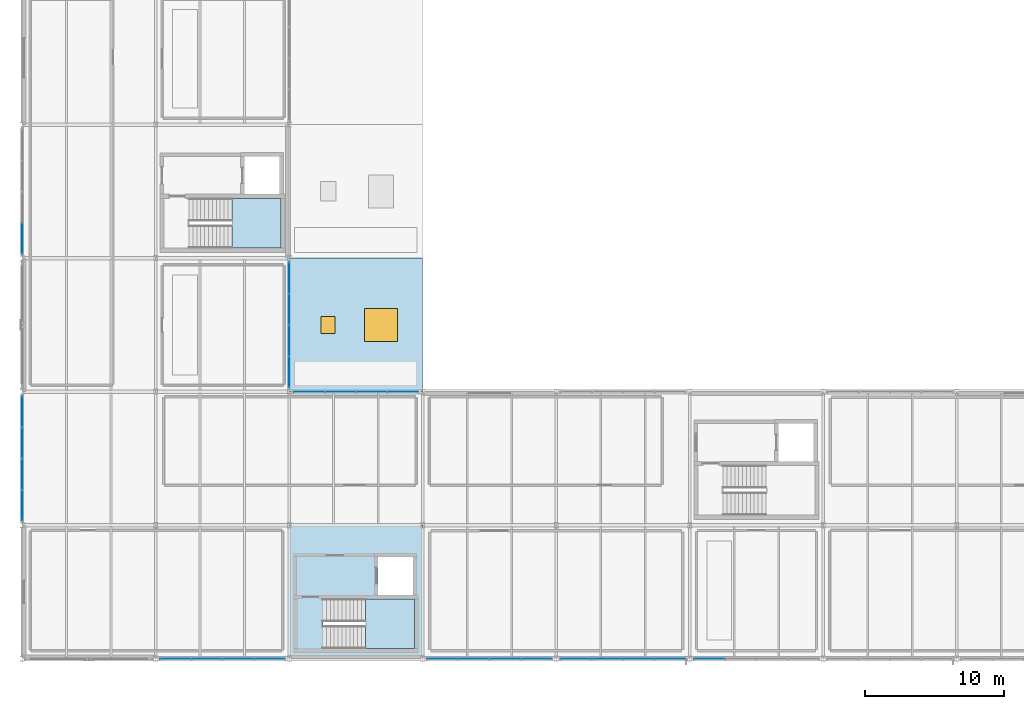
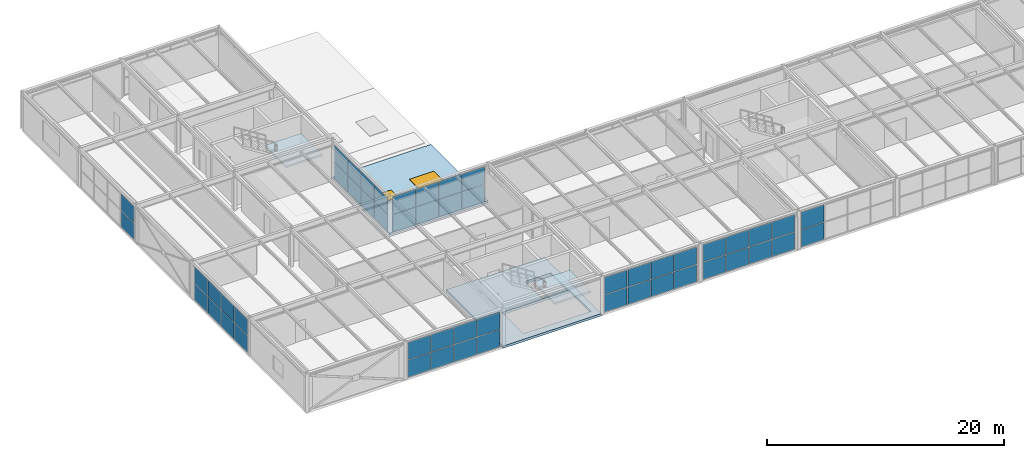
# One storey, part 38 of 50: 52 plates, 4 slabs, 1 door, 1 window, 2 openings, 10 elements without a shape of their own.
"""IFC4 building model written with IfcOpenShell, lengths in metres."""

import ifcopenshell
import ifcopenshell.guid

model = None  # the IFC model being written
_history = None  # IfcOwnerHistory: only IFC2X3 demands one
_inside = {}  # id of a spatial element -> (the spatial element, [elements in it])
_under = {}  # id of a project, library or spatial element -> (it, [spatial elements below it])
_declared = {}  # id of a project -> (the project, [libraries it declares])
_typed = {}  # id of a type object -> (the type object, [elements of that type])
_made_of = {}  # id of a material, layer set ... -> (it, [elements and type objects made of it])


def new_model(schema):
    """Start an empty IFC model of exactly this schema.

    Asked for "IFC4X3", IfcOpenShell would pick the latest addendum, in which some entities
    have other attributes; the version numbers below select the first issue.
    IFC2X3 requires an IfcOwnerHistory on every rooted entity: one is made here for all.
    """
    global model, _history
    if schema == "IFC4X3":
        model = ifcopenshell.file(schema_version=(4, 3, 0, 0))
    else:
        model = ifcopenshell.file(schema=schema)
    _inside.clear()
    _under.clear()
    _declared.clear()
    _typed.clear()
    _made_of.clear()
    _history = None
    if model.schema == "IFC2X3":
        org = make("IfcOrganization", Name="unknown")
        user = make(
            "IfcPersonAndOrganization",
            ThePerson=make("IfcPerson", FamilyName="unknown"),
            TheOrganization=org,
        )
        app = make(
            "IfcApplication",
            ApplicationDeveloper=org,
            Version="unknown",
            ApplicationFullName="unknown",
            ApplicationIdentifier="unknown",
        )
        _history = make(
            "IfcOwnerHistory",
            OwningUser=user,
            OwningApplication=app,
            ChangeAction="ADDED",
            CreationDate=0,
        )
    return model


def make(cls, **values):
    """One entity of the class cls with the attributes given. An attribute that is None is left unset."""
    return model.create_entity(
        cls, **{name: value for name, value in values.items() if value is not None}
    )


def rooted(cls, **values):
    """An entity with a GlobalId (a new one), such as an element, a storey or a relation."""
    return make(cls, GlobalId=ifcopenshell.guid.new(), OwnerHistory=_history, **values)


def si_unit(unit_type, name, prefix=None):
    """IfcSIUnit, for example si_unit("LENGTHUNIT", "METRE", prefix="MILLI")."""
    return make("IfcSIUnit", UnitType=unit_type, Prefix=prefix, Name=name)


def assignment(units):
    """IfcUnitAssignment: the units of a project."""
    return None if units is None else make("IfcUnitAssignment", Units=units)


def point(xyz):
    """IfcCartesianPoint."""
    return None if xyz is None else make("IfcCartesianPoint", Coordinates=xyz)


def direction(xyz):
    """IfcDirection."""
    return None if xyz is None else make("IfcDirection", DirectionRatios=xyz)


def frame(location, z_axis=None, x_axis=None):
    """IfcAxis2Placement3D, a coordinate frame: its origin and axes. An axis left out is left unset."""
    return make(
        "IfcAxis2Placement3D",
        Location=point(location),
        Axis=direction(z_axis),
        RefDirection=direction(x_axis),
    )


def frame_2d(location, x_axis=None):
    """IfcAxis2Placement2D, a coordinate frame in the plane: its origin and x axis."""
    return make(
        "IfcAxis2Placement2D", Location=point(location), RefDirection=direction(x_axis)
    )


def origin():
    """The frame at (0, 0, 0) with its axes left unset."""
    return frame((0.0, 0.0, 0.0))


def origin_2d():
    """The frame at (0, 0) in the plane with its x axis left unset."""
    return frame_2d((0.0, 0.0))


def place(relative_to, where):
    """IfcLocalPlacement: puts the frame where relative to a parent placement (None: the world)."""
    return make(
        "IfcLocalPlacement", PlacementRelTo=relative_to, RelativePlacement=where
    )


def context(
    kind, dimensions, precision=None, world=None, true_north=None, identifier=None
):
    """IfcGeometricRepresentationContext, for example the 3D "Model" context."""
    return make(
        "IfcGeometricRepresentationContext",
        ContextIdentifier=identifier,
        ContextType=kind,
        CoordinateSpaceDimension=dimensions,
        Precision=precision,
        WorldCoordinateSystem=world,
        TrueNorth=true_north,
    )


def subcontext(parent, identifier, kind, view, scale=None):
    """IfcGeometricRepresentationSubContext, for example "Body" below "Model"."""
    return make(
        "IfcGeometricRepresentationSubContext",
        ContextIdentifier=identifier,
        ContextType=kind,
        ParentContext=parent,
        TargetScale=scale,
        TargetView=view,
    )


def project(units=None, contexts=None):
    """IfcProject with its units and contexts."""
    return rooted(
        "IfcProject",
        Name="project",
        RepresentationContexts=contexts,
        UnitsInContext=assignment(units),
    )


def spatial(cls, under=None, at=None, **own):
    """A site, building, storey or space (cls), placed at a placement, below another one or the project."""
    s = rooted(cls, ObjectPlacement=at, **own)
    if under is not None:
        _under.setdefault(under.id(), (under, []))[1].append(s)
    return s


def polyline(points):
    """IfcPolyline through the points."""
    return make("IfcPolyline", Points=[point(p) for p in points])


def profile(cls, at=None, kind="AREA", **sizes):
    """A parametric profile (cls). Its sizes go by their IFC names, for example OverallWidth=200.0."""
    return make(cls, ProfileType=kind, Position=at, **sizes)


def rectangle(**sizes):
    """IfcRectangleProfileDef."""
    return profile("IfcRectangleProfileDef", **sizes)


def outline(outer, holes=None, kind="AREA"):
    """IfcArbitraryClosedProfileDef: a profile drawn as a closed curve; with holes, ...WithVoids."""
    if holes is None:
        return make("IfcArbitraryClosedProfileDef", ProfileType=kind, OuterCurve=outer)
    return make(
        "IfcArbitraryProfileDefWithVoids",
        ProfileType=kind,
        OuterCurve=outer,
        InnerCurves=holes,
    )


def extrude(swept, where, along, depth):
    """IfcExtrudedAreaSolid: the profile swept, set in the frame where, extruded along a direction by depth."""
    return make(
        "IfcExtrudedAreaSolid",
        SweptArea=swept,
        Position=where,
        ExtrudedDirection=direction(along),
        Depth=depth,
    )


def shape(context_of_items, identifier, shape_type, items):
    """IfcShapeRepresentation: the items that make up one representation, for example the "Body"."""
    return make(
        "IfcShapeRepresentation",
        ContextOfItems=context_of_items,
        RepresentationIdentifier=identifier,
        RepresentationType=shape_type,
        Items=items,
    )


def material(Name=None, Category=None):
    """IfcMaterial."""
    return make("IfcMaterial", Name=Name, Category=Category)


def layer(
    of_material, thickness, ventilated=None, Name=None, Category=None, Priority=None
):
    """IfcMaterialLayer: one layer of a wall or slab, of a material (None: an air gap)."""
    return make(
        "IfcMaterialLayer",
        Material=of_material,
        LayerThickness=thickness,
        IsVentilated=ventilated,
        Name=Name,
        Category=Category,
        Priority=Priority,
    )


def layer_set(layers, Name=None):
    """IfcMaterialLayerSet."""
    return make("IfcMaterialLayerSet", MaterialLayers=layers, LayerSetName=Name)


def made_of(thing, what):
    """Note that an element or type object is made of a material, layer set ...; save() writes the relation."""
    if what is not None:
        _made_of.setdefault(what.id(), (what, []))[1].append(thing)
    return thing


def type_object(cls, material=None, **own):
    """A type object (cls), such as IfcWallType, which elements share."""
    return made_of(rooted(cls, **own), material)


def element(
    cls,
    number,
    at=None,
    inside=None,
    cuts=None,
    type_object=None,
    material=None,
    context=None,
    identifier="Body",
    shape_type=None,
    held_by="IfcProductDefinitionShape",
    body=None,
    shapes=None,
    **own,
):
    """One element of the class cls, such as IfcWall. Its Tag is "e" and its number.

    at: its placement. inside: the storey or other place that contains it. cuts: it is an
    opening in that element (IfcRelVoidsElement). A single representation is given by context,
    identifier, shape_type and body (its items); several are given by shapes. held_by: the class
    of the entity that holds the representations. save() writes the other relations.
    """
    e = rooted(cls, Tag="e%d" % number, ObjectPlacement=at, **own)
    if body is not None:
        shapes = [shape(context, identifier, shape_type, body)]
    if shapes is not None:
        e.Representation = make(held_by, Representations=shapes)
    if inside is not None:
        _inside.setdefault(inside.id(), (inside, []))[1].append(e)
    if cuts is not None:
        rooted(
            "IfcRelVoidsElement", RelatingBuildingElement=cuts, RelatedOpeningElement=e
        )
    if type_object is not None:
        _typed.setdefault(type_object.id(), (type_object, []))[1].append(e)
    return made_of(e, material)


def fill(opening, filler):
    """IfcRelFillsElement: the door or window that sits in an opening."""
    return rooted(
        "IfcRelFillsElement",
        RelatingOpeningElement=opening,
        RelatedBuildingElement=filler,
    )


def aggregate(whole, parts):
    """IfcRelAggregates: a whole, such as a stair, and the parts it consists of."""
    return rooted("IfcRelAggregates", RelatingObject=whole, RelatedObjects=parts)


def save(model, path):
    """Write the relations noted so far, then the file.

    IfcRelAggregates (storeys below a building ...), IfcRelContainedInSpatialStructure (elements
    in a storey), IfcRelDefinesByType, IfcRelAssociatesMaterial and IfcRelDeclares: one each for
    every whole, place, type object, material and project.
    """
    for whole, parts in _under.values():
        aggregate(whole, parts)
    for where, things in _inside.values():
        rooted(
            "IfcRelContainedInSpatialStructure",
            RelatedElements=things,
            RelatingStructure=where,
        )
    for kind, things in _typed.values():
        rooted("IfcRelDefinesByType", RelatedObjects=things, RelatingType=kind)
    for what, things in _made_of.values():
        rooted("IfcRelAssociatesMaterial", RelatedObjects=things, RelatingMaterial=what)
    for by, libraries in _declared.values():
        rooted("IfcRelDeclares", RelatingContext=by, RelatedDefinitions=libraries)
    model.write(path)


model = new_model("IFC4")

# Units and contexts
model_context = context("Model", 3, precision=1e-05, world=origin(), true_north=direction((0.0, 1.0)))
body_context = subcontext(model_context, "Body", "Model", "MODEL_VIEW")
ifc_project = project(units=[si_unit("LENGTHUNIT", "METRE"), si_unit("AREAUNIT", "SQUARE_METRE"), si_unit("VOLUMEUNIT", "CUBIC_METRE"), si_unit("PLANEANGLEUNIT", "RADIAN"), si_unit("MASSUNIT", "GRAM", prefix="KILO")], contexts=[model_context])

# Site, building, storey
site_placement = place(None, origin())
site = spatial("IfcSite", under=ifc_project, at=site_placement, CompositionType="ELEMENT")
building_placement = place(site_placement, origin())
building = spatial("IfcBuilding", under=site, at=building_placement, Name="Coralgate Yard Interchange", CompositionType="ELEMENT")
storey_placement = place(building_placement, frame((0.0, 0.0, 14.699951171875)))
storey = spatial("IfcBuildingStorey", under=building, at=storey_placement, Name="L03", CompositionType="ELEMENT", Elevation=14.699951171875)

# Curtain wall, plates
ifc_material_1 = material(Name="Anodised coastal aluminium and solar-control low-E glass", Category="aluminium")
curtain_wall_type = type_object("IfcCurtainWallType", Name="CW-CW-L03-A", PredefinedType="NOTDEFINED", material=ifc_material_1)
curtain_wall_1_placement = place(storey_placement, origin())
curtain_wall_1 = element("IfcCurtainWall", 1, at=curtain_wall_1_placement, inside=storey, type_object=curtain_wall_type, Name="L03 unitised curtain wall CW-L03-W-00-01", PredefinedType="NOTDEFINED")
ifc_material_2 = material(Name="Solar-control double-glazed low-E glass unit", Category="glass")
ifc_layer_1 = layer(ifc_material_2, 0.028076171875)
ifc_layer_set_1 = layer_set([ifc_layer_1], Name="Solar-control double-glazed low-E glass unit")
plate_type = type_object("IfcPlateType", Name="PLT-CP-28", PredefinedType="CURTAIN_PANEL", material=ifc_layer_set_1)
plate_1_placement = place(storey_placement, frame((0.0, 11.02490234375, 0.02490234375), z_axis=(0.0, 0.0, 1.0), x_axis=(0.0, 1.0, 0.0)))
plate_1 = element("IfcPlate", 2, at=plate_1_placement, type_object=plate_type, Name="CW-L03-W-00-01 solar-control glazing panel 1-1", PredefinedType="CURTAIN_PANEL", context=body_context, shape_type="SweptSolid", body=[
    extrude(rectangle(XDim=2.199951171875, YDim=0.028076171875, at=origin_2d()), origin(), (0.0, 0.0, 1.0), 1.696533203125),
])
plate_2_placement = place(storey_placement, frame((0.0, 11.02490234375, 1.771484375), z_axis=(0.0, 0.0, 1.0), x_axis=(0.0, 1.0, 0.0)))
plate_2 = element("IfcPlate", 3, at=plate_2_placement, type_object=plate_type, Name="CW-L03-W-00-01 solar-control glazing panel 1-2", PredefinedType="CURTAIN_PANEL", context=body_context, shape_type="SweptSolid", body=[
    extrude(rectangle(XDim=2.199951171875, YDim=0.028076171875, at=origin_2d()), origin(), (0.0, 0.0, 1.0), 1.696533203125),
])
plate_3_placement = place(storey_placement, frame((0.0, 13.27490234375, 0.02490234375), z_axis=(0.0, 0.0, 1.0), x_axis=(0.0, 1.0, 0.0)))
plate_3 = element("IfcPlate", 4, at=plate_3_placement, type_object=plate_type, Name="CW-L03-W-00-01 solar-control glazing panel 2-1", PredefinedType="CURTAIN_PANEL", context=body_context, shape_type="SweptSolid", body=[
    extrude(rectangle(XDim=2.199951171875, YDim=0.028076171875, at=origin_2d()), origin(), (0.0, 0.0, 1.0), 1.696533203125),
])
plate_4_placement = place(storey_placement, frame((0.0, 13.27490234375, 1.771484375), z_axis=(0.0, 0.0, 1.0), x_axis=(0.0, 1.0, 0.0)))
plate_4 = element("IfcPlate", 5, at=plate_4_placement, type_object=plate_type, Name="CW-L03-W-00-01 solar-control glazing panel 2-2", PredefinedType="CURTAIN_PANEL", context=body_context, shape_type="SweptSolid", body=[
    extrude(rectangle(XDim=2.199951171875, YDim=0.028076171875, at=origin_2d()), origin(), (0.0, 0.0, 1.0), 1.696533203125),
])
plate_5_placement = place(storey_placement, frame((0.0, 15.52490234375, 0.02490234375), z_axis=(0.0, 0.0, 1.0), x_axis=(0.0, 1.0, 0.0)))
plate_5 = element("IfcPlate", 6, at=plate_5_placement, type_object=plate_type, Name="CW-L03-W-00-01 solar-control glazing panel 3-1", PredefinedType="CURTAIN_PANEL", context=body_context, shape_type="SweptSolid", body=[
    extrude(rectangle(XDim=2.199951171875, YDim=0.028076171875, at=origin_2d()), origin(), (0.0, 0.0, 1.0), 1.696533203125),
])
plate_6_placement = place(storey_placement, frame((0.0, 15.52490234375, 1.771484375), z_axis=(0.0, 0.0, 1.0), x_axis=(0.0, 1.0, 0.0)))
plate_6 = element("IfcPlate", 7, at=plate_6_placement, type_object=plate_type, Name="CW-L03-W-00-01 solar-control glazing panel 3-2", PredefinedType="CURTAIN_PANEL", context=body_context, shape_type="SweptSolid", body=[
    extrude(rectangle(XDim=2.199951171875, YDim=0.028076171875, at=origin_2d()), origin(), (0.0, 0.0, 1.0), 1.696533203125),
])
plate_7_placement = place(storey_placement, frame((0.0, 17.77490234375, 0.02490234375), z_axis=(0.0, 0.0, 1.0), x_axis=(0.0, 1.0, 0.0)))
plate_7 = element("IfcPlate", 8, at=plate_7_placement, type_object=plate_type, Name="CW-L03-W-00-01 solar-control glazing panel 4-1", PredefinedType="CURTAIN_PANEL", context=body_context, shape_type="SweptSolid", body=[
    extrude(rectangle(XDim=2.199951171875, YDim=0.028076171875, at=origin_2d()), origin(), (0.0, 0.0, 1.0), 1.696533203125),
])
plate_8_placement = place(storey_placement, frame((0.0, 17.77490234375, 1.771484375), z_axis=(0.0, 0.0, 1.0), x_axis=(0.0, 1.0, 0.0)))
plate_8 = element("IfcPlate", 9, at=plate_8_placement, type_object=plate_type, Name="CW-L03-W-00-01 solar-control glazing panel 4-2", PredefinedType="CURTAIN_PANEL", context=body_context, shape_type="SweptSolid", body=[
    extrude(rectangle(XDim=2.199951171875, YDim=0.028076171875, at=origin_2d()), origin(), (0.0, 0.0, 1.0), 1.696533203125),
])
aggregate(curtain_wall_1, [plate_1, plate_2, plate_3, plate_4, plate_5, plate_6, plate_7, plate_8])

curtain_wall_2_placement = place(storey_placement, origin())
curtain_wall_2 = element("IfcCurtainWall", 10, at=curtain_wall_2_placement, inside=storey, type_object=curtain_wall_type, Name="L03 unitised curtain wall CW-L03-W-00-03", PredefinedType="NOTDEFINED")
plate_9_placement = place(storey_placement, frame((0.0, 30.22509765625, 0.02490234375), z_axis=(0.0, 0.0, 1.0), x_axis=(0.0, 1.0, 0.0)))
plate_9 = element("IfcPlate", 11, at=plate_9_placement, type_object=plate_type, Name="CW-L03-W-00-03 solar-control glazing panel 1-1", PredefinedType="CURTAIN_PANEL", context=body_context, shape_type="SweptSolid", body=[
    extrude(rectangle(XDim=2.199951171875, YDim=0.028076171875, at=origin_2d()), origin(), (0.0, 0.0, 1.0), 1.696533203125),
])
plate_10_placement = place(storey_placement, frame((0.0, 30.22509765625, 1.771484375), z_axis=(0.0, 0.0, 1.0), x_axis=(0.0, 1.0, 0.0)))
plate_10 = element("IfcPlate", 12, at=plate_10_placement, type_object=plate_type, Name="CW-L03-W-00-03 solar-control glazing panel 1-2", PredefinedType="CURTAIN_PANEL", context=body_context, shape_type="SweptSolid", body=[
    extrude(rectangle(XDim=2.199951171875, YDim=0.028076171875, at=origin_2d()), origin(), (0.0, 0.0, 1.0), 1.696533203125),
])
aggregate(curtain_wall_2, [plate_9, plate_10])

curtain_wall_3_placement = place(storey_placement, origin())
curtain_wall_3 = element("IfcCurtainWall", 13, at=curtain_wall_3_placement, inside=storey, type_object=curtain_wall_type, Name="L03 unitised curtain wall CW-L03-S-01-00", PredefinedType="NOTDEFINED")
plate_11_placement = place(storey_placement, frame((17.77490234375, 0.0, 0.02490234375), z_axis=(0.0, 0.0, 1.0), x_axis=(-1.0, 0.0, 0.0)))
plate_11 = element("IfcPlate", 14, at=plate_11_placement, type_object=plate_type, Name="CW-L03-S-01-00 solar-control glazing panel 1-1", PredefinedType="CURTAIN_PANEL", context=body_context, shape_type="SweptSolid", body=[
    extrude(rectangle(XDim=2.199951171875, YDim=0.028076171875, at=origin_2d()), origin(), (0.0, 0.0, 1.0), 1.780029296875),
])
plate_12_placement = place(storey_placement, frame((17.77490234375, 0.0, 1.85498046875), z_axis=(0.0, 0.0, 1.0), x_axis=(-1.0, 0.0, 0.0)))
plate_12 = element("IfcPlate", 15, at=plate_12_placement, type_object=plate_type, Name="CW-L03-S-01-00 solar-control glazing panel 1-2", PredefinedType="CURTAIN_PANEL", context=body_context, shape_type="SweptSolid", body=[
    extrude(rectangle(XDim=2.199951171875, YDim=0.028076171875, at=origin_2d()), origin(), (0.0, 0.0, 1.0), 1.780029296875),
])
plate_13_placement = place(storey_placement, frame((15.52490234375, 0.0, 0.02490234375), z_axis=(0.0, 0.0, 1.0), x_axis=(-1.0, 0.0, 0.0)))
plate_13 = element("IfcPlate", 16, at=plate_13_placement, type_object=plate_type, Name="CW-L03-S-01-00 solar-control glazing panel 2-1", PredefinedType="CURTAIN_PANEL", context=body_context, shape_type="SweptSolid", body=[
    extrude(rectangle(XDim=2.199951171875, YDim=0.028076171875, at=origin_2d()), origin(), (0.0, 0.0, 1.0), 1.780029296875),
])
plate_14_placement = place(storey_placement, frame((15.52490234375, 0.0, 1.85498046875), z_axis=(0.0, 0.0, 1.0), x_axis=(-1.0, 0.0, 0.0)))
plate_14 = element("IfcPlate", 17, at=plate_14_placement, type_object=plate_type, Name="CW-L03-S-01-00 solar-control glazing panel 2-2", PredefinedType="CURTAIN_PANEL", context=body_context, shape_type="SweptSolid", body=[
    extrude(rectangle(XDim=2.199951171875, YDim=0.028076171875, at=origin_2d()), origin(), (0.0, 0.0, 1.0), 1.780029296875),
])
plate_15_placement = place(storey_placement, frame((13.27490234375, 0.0, 0.02490234375), z_axis=(0.0, 0.0, 1.0), x_axis=(-1.0, 0.0, 0.0)))
plate_15 = element("IfcPlate", 18, at=plate_15_placement, type_object=plate_type, Name="CW-L03-S-01-00 solar-control glazing panel 3-1", PredefinedType="CURTAIN_PANEL", context=body_context, shape_type="SweptSolid", body=[
    extrude(rectangle(XDim=2.199951171875, YDim=0.028076171875, at=origin_2d()), origin(), (0.0, 0.0, 1.0), 1.780029296875),
])
plate_16_placement = place(storey_placement, frame((13.27490234375, 0.0, 1.85498046875), z_axis=(0.0, 0.0, 1.0), x_axis=(-1.0, 0.0, 0.0)))
plate_16 = element("IfcPlate", 19, at=plate_16_placement, type_object=plate_type, Name="CW-L03-S-01-00 solar-control glazing panel 3-2", PredefinedType="CURTAIN_PANEL", context=body_context, shape_type="SweptSolid", body=[
    extrude(rectangle(XDim=2.199951171875, YDim=0.028076171875, at=origin_2d()), origin(), (0.0, 0.0, 1.0), 1.780029296875),
])
plate_17_placement = place(storey_placement, frame((11.02490234375, 0.0, 0.02490234375), z_axis=(0.0, 0.0, 1.0), x_axis=(-1.0, 0.0, 0.0)))
plate_17 = element("IfcPlate", 20, at=plate_17_placement, type_object=plate_type, Name="CW-L03-S-01-00 solar-control glazing panel 4-1", PredefinedType="CURTAIN_PANEL", context=body_context, shape_type="SweptSolid", body=[
    extrude(rectangle(XDim=2.199951171875, YDim=0.028076171875, at=origin_2d()), origin(), (0.0, 0.0, 1.0), 1.780029296875),
])
plate_18_placement = place(storey_placement, frame((11.02490234375, 0.0, 1.85498046875), z_axis=(0.0, 0.0, 1.0), x_axis=(-1.0, 0.0, 0.0)))
plate_18 = element("IfcPlate", 21, at=plate_18_placement, type_object=plate_type, Name="CW-L03-S-01-00 solar-control glazing panel 4-2", PredefinedType="CURTAIN_PANEL", context=body_context, shape_type="SweptSolid", body=[
    extrude(rectangle(XDim=2.199951171875, YDim=0.028076171875, at=origin_2d()), origin(), (0.0, 0.0, 1.0), 1.780029296875),
])
aggregate(curtain_wall_3, [plate_11, plate_12, plate_13, plate_14, plate_15, plate_16, plate_17, plate_18])

curtain_wall_4_placement = place(storey_placement, origin())
curtain_wall_4 = element("IfcCurtainWall", 22, at=curtain_wall_4_placement, inside=storey, type_object=curtain_wall_type, Name="L03 unitised curtain wall CW-L03-E-01-02", PredefinedType="NOTDEFINED")
plate_19_placement = place(storey_placement, frame((19.199951171875, 27.375, 0.02490234375), z_axis=(0.0, 0.0, 1.0), x_axis=(0.0, -1.0, 0.0)))
plate_19 = element("IfcPlate", 23, at=plate_19_placement, type_object=plate_type, Name="CW-L03-E-01-02 solar-control glazing panel 1-1", PredefinedType="CURTAIN_PANEL", context=body_context, shape_type="SweptSolid", body=[
    extrude(rectangle(XDim=2.199951171875, YDim=0.028076171875, at=origin_2d()), origin(), (0.0, 0.0, 1.0), 1.696533203125),
])
plate_20_placement = place(storey_placement, frame((19.199951171875, 27.375, 1.771484375), z_axis=(0.0, 0.0, 1.0), x_axis=(0.0, -1.0, 0.0)))
plate_20 = element("IfcPlate", 24, at=plate_20_placement, type_object=plate_type, Name="CW-L03-E-01-02 solar-control glazing panel 1-2", PredefinedType="CURTAIN_PANEL", context=body_context, shape_type="SweptSolid", body=[
    extrude(rectangle(XDim=2.199951171875, YDim=0.028076171875, at=origin_2d()), origin(), (0.0, 0.0, 1.0), 1.696533203125),
])
plate_21_placement = place(storey_placement, frame((19.199951171875, 25.125, 0.02490234375), z_axis=(0.0, 0.0, 1.0), x_axis=(0.0, -1.0, 0.0)))
plate_21 = element("IfcPlate", 25, at=plate_21_placement, type_object=plate_type, Name="CW-L03-E-01-02 solar-control glazing panel 2-1", PredefinedType="CURTAIN_PANEL", context=body_context, shape_type="SweptSolid", body=[
    extrude(rectangle(XDim=2.199951171875, YDim=0.028076171875, at=origin_2d()), origin(), (0.0, 0.0, 1.0), 1.696533203125),
])
plate_22_placement = place(storey_placement, frame((19.199951171875, 25.125, 1.771484375), z_axis=(0.0, 0.0, 1.0), x_axis=(0.0, -1.0, 0.0)))
plate_22 = element("IfcPlate", 26, at=plate_22_placement, type_object=plate_type, Name="CW-L03-E-01-02 solar-control glazing panel 2-2", PredefinedType="CURTAIN_PANEL", context=body_context, shape_type="SweptSolid", body=[
    extrude(rectangle(XDim=2.199951171875, YDim=0.028076171875, at=origin_2d()), origin(), (0.0, 0.0, 1.0), 1.696533203125),
])
plate_23_placement = place(storey_placement, frame((19.199951171875, 22.875, 0.02490234375), z_axis=(0.0, 0.0, 1.0), x_axis=(0.0, -1.0, 0.0)))
plate_23 = element("IfcPlate", 27, at=plate_23_placement, type_object=plate_type, Name="CW-L03-E-01-02 solar-control glazing panel 3-1", PredefinedType="CURTAIN_PANEL", context=body_context, shape_type="SweptSolid", body=[
    extrude(rectangle(XDim=2.199951171875, YDim=0.028076171875, at=origin_2d()), origin(), (0.0, 0.0, 1.0), 1.696533203125),
])
plate_24_placement = place(storey_placement, frame((19.199951171875, 22.875, 1.771484375), z_axis=(0.0, 0.0, 1.0), x_axis=(0.0, -1.0, 0.0)))
plate_24 = element("IfcPlate", 28, at=plate_24_placement, type_object=plate_type, Name="CW-L03-E-01-02 solar-control glazing panel 3-2", PredefinedType="CURTAIN_PANEL", context=body_context, shape_type="SweptSolid", body=[
    extrude(rectangle(XDim=2.199951171875, YDim=0.028076171875, at=origin_2d()), origin(), (0.0, 0.0, 1.0), 1.696533203125),
])
plate_25_placement = place(storey_placement, frame((19.199951171875, 20.625, 0.02490234375), z_axis=(0.0, 0.0, 1.0), x_axis=(0.0, -1.0, 0.0)))
plate_25 = element("IfcPlate", 29, at=plate_25_placement, type_object=plate_type, Name="CW-L03-E-01-02 solar-control glazing panel 4-1", PredefinedType="CURTAIN_PANEL", context=body_context, shape_type="SweptSolid", body=[
    extrude(rectangle(XDim=2.199951171875, YDim=0.028076171875, at=origin_2d()), origin(), (0.0, 0.0, 1.0), 1.696533203125),
])
plate_26_placement = place(storey_placement, frame((19.199951171875, 20.625, 1.771484375), z_axis=(0.0, 0.0, 1.0), x_axis=(0.0, -1.0, 0.0)))
plate_26 = element("IfcPlate", 30, at=plate_26_placement, type_object=plate_type, Name="CW-L03-E-01-02 solar-control glazing panel 4-2", PredefinedType="CURTAIN_PANEL", context=body_context, shape_type="SweptSolid", body=[
    extrude(rectangle(XDim=2.199951171875, YDim=0.028076171875, at=origin_2d()), origin(), (0.0, 0.0, 1.0), 1.696533203125),
])
aggregate(curtain_wall_4, [plate_19, plate_20, plate_21, plate_22, plate_23, plate_24, plate_25, plate_26])

curtain_wall_5_placement = place(storey_placement, origin())
curtain_wall_5 = element("IfcCurtainWall", 31, at=curtain_wall_5_placement, inside=storey, type_object=curtain_wall_type, Name="L03 unitised curtain wall CW-L03-N-02-01", PredefinedType="NOTDEFINED")
plate_27_placement = place(storey_placement, frame((20.625, 19.199951171875, 0.02490234375), z_axis=(0.0, 0.0, 1.0), x_axis=(1.0, 0.0, 0.0)))
plate_27 = element("IfcPlate", 32, at=plate_27_placement, type_object=plate_type, Name="CW-L03-N-02-01 solar-control glazing panel 1-1", PredefinedType="CURTAIN_PANEL", context=body_context, shape_type="SweptSolid", body=[
    extrude(rectangle(XDim=2.199951171875, YDim=0.028076171875, at=origin_2d()), origin(), (0.0, 0.0, 1.0), 1.780029296875),
])
plate_28_placement = place(storey_placement, frame((20.625, 19.199951171875, 1.85498046875), z_axis=(0.0, 0.0, 1.0), x_axis=(1.0, 0.0, 0.0)))
plate_28 = element("IfcPlate", 33, at=plate_28_placement, type_object=plate_type, Name="CW-L03-N-02-01 solar-control glazing panel 1-2", PredefinedType="CURTAIN_PANEL", context=body_context, shape_type="SweptSolid", body=[
    extrude(rectangle(XDim=2.199951171875, YDim=0.028076171875, at=origin_2d()), origin(), (0.0, 0.0, 1.0), 1.780029296875),
])
plate_29_placement = place(storey_placement, frame((22.875, 19.199951171875, 0.02490234375), z_axis=(0.0, 0.0, 1.0), x_axis=(1.0, 0.0, 0.0)))
plate_29 = element("IfcPlate", 34, at=plate_29_placement, type_object=plate_type, Name="CW-L03-N-02-01 solar-control glazing panel 2-1", PredefinedType="CURTAIN_PANEL", context=body_context, shape_type="SweptSolid", body=[
    extrude(rectangle(XDim=2.199951171875, YDim=0.028076171875, at=origin_2d()), origin(), (0.0, 0.0, 1.0), 1.780029296875),
])
plate_30_placement = place(storey_placement, frame((22.875, 19.199951171875, 1.85498046875), z_axis=(0.0, 0.0, 1.0), x_axis=(1.0, 0.0, 0.0)))
plate_30 = element("IfcPlate", 35, at=plate_30_placement, type_object=plate_type, Name="CW-L03-N-02-01 solar-control glazing panel 2-2", PredefinedType="CURTAIN_PANEL", context=body_context, shape_type="SweptSolid", body=[
    extrude(rectangle(XDim=2.199951171875, YDim=0.028076171875, at=origin_2d()), origin(), (0.0, 0.0, 1.0), 1.780029296875),
])
plate_31_placement = place(storey_placement, frame((25.125, 19.199951171875, 0.02490234375), z_axis=(0.0, 0.0, 1.0), x_axis=(1.0, 0.0, 0.0)))
plate_31 = element("IfcPlate", 36, at=plate_31_placement, type_object=plate_type, Name="CW-L03-N-02-01 solar-control glazing panel 3-1", PredefinedType="CURTAIN_PANEL", context=body_context, shape_type="SweptSolid", body=[
    extrude(rectangle(XDim=2.199951171875, YDim=0.028076171875, at=origin_2d()), origin(), (0.0, 0.0, 1.0), 1.780029296875),
])
plate_32_placement = place(storey_placement, frame((25.125, 19.199951171875, 1.85498046875), z_axis=(0.0, 0.0, 1.0), x_axis=(1.0, 0.0, 0.0)))
plate_32 = element("IfcPlate", 37, at=plate_32_placement, type_object=plate_type, Name="CW-L03-N-02-01 solar-control glazing panel 3-2", PredefinedType="CURTAIN_PANEL", context=body_context, shape_type="SweptSolid", body=[
    extrude(rectangle(XDim=2.199951171875, YDim=0.028076171875, at=origin_2d()), origin(), (0.0, 0.0, 1.0), 1.780029296875),
])
plate_33_placement = place(storey_placement, frame((27.375, 19.199951171875, 0.02490234375), z_axis=(0.0, 0.0, 1.0), x_axis=(1.0, 0.0, 0.0)))
plate_33 = element("IfcPlate", 38, at=plate_33_placement, type_object=plate_type, Name="CW-L03-N-02-01 solar-control glazing panel 4-1", PredefinedType="CURTAIN_PANEL", context=body_context, shape_type="SweptSolid", body=[
    extrude(rectangle(XDim=2.199951171875, YDim=0.028076171875, at=origin_2d()), origin(), (0.0, 0.0, 1.0), 1.780029296875),
])
plate_34_placement = place(storey_placement, frame((27.375, 19.199951171875, 1.85498046875), z_axis=(0.0, 0.0, 1.0), x_axis=(1.0, 0.0, 0.0)))
plate_34 = element("IfcPlate", 39, at=plate_34_placement, type_object=plate_type, Name="CW-L03-N-02-01 solar-control glazing panel 4-2", PredefinedType="CURTAIN_PANEL", context=body_context, shape_type="SweptSolid", body=[
    extrude(rectangle(XDim=2.199951171875, YDim=0.028076171875, at=origin_2d()), origin(), (0.0, 0.0, 1.0), 1.780029296875),
])
aggregate(curtain_wall_5, [plate_27, plate_28, plate_29, plate_30, plate_31, plate_32, plate_33, plate_34])

curtain_wall_6_placement = place(storey_placement, origin())
curtain_wall_6 = element("IfcCurtainWall", 40, at=curtain_wall_6_placement, inside=storey, type_object=curtain_wall_type, Name="L03 unitised curtain wall CW-L03-S-03-00", PredefinedType="NOTDEFINED")
plate_35_placement = place(storey_placement, frame((36.97509765625, 0.0, 0.02490234375), z_axis=(0.0, 0.0, 1.0), x_axis=(-1.0, 0.0, 0.0)))
plate_35 = element("IfcPlate", 41, at=plate_35_placement, type_object=plate_type, Name="CW-L03-S-03-00 solar-control glazing panel 1-1", PredefinedType="CURTAIN_PANEL", context=body_context, shape_type="SweptSolid", body=[
    extrude(rectangle(XDim=2.199951171875, YDim=0.028076171875, at=origin_2d()), origin(), (0.0, 0.0, 1.0), 1.780029296875),
])
plate_36_placement = place(storey_placement, frame((36.97509765625, 0.0, 1.85498046875), z_axis=(0.0, 0.0, 1.0), x_axis=(-1.0, 0.0, 0.0)))
plate_36 = element("IfcPlate", 42, at=plate_36_placement, type_object=plate_type, Name="CW-L03-S-03-00 solar-control glazing panel 1-2", PredefinedType="CURTAIN_PANEL", context=body_context, shape_type="SweptSolid", body=[
    extrude(rectangle(XDim=2.199951171875, YDim=0.028076171875, at=origin_2d()), origin(), (0.0, 0.0, 1.0), 1.780029296875),
])
plate_37_placement = place(storey_placement, frame((34.72509765625, 0.0, 0.02490234375), z_axis=(0.0, 0.0, 1.0), x_axis=(-1.0, 0.0, 0.0)))
plate_37 = element("IfcPlate", 43, at=plate_37_placement, type_object=plate_type, Name="CW-L03-S-03-00 solar-control glazing panel 2-1", PredefinedType="CURTAIN_PANEL", context=body_context, shape_type="SweptSolid", body=[
    extrude(rectangle(XDim=2.199951171875, YDim=0.028076171875, at=origin_2d()), origin(), (0.0, 0.0, 1.0), 1.780029296875),
])
plate_38_placement = place(storey_placement, frame((34.72509765625, 0.0, 1.85498046875), z_axis=(0.0, 0.0, 1.0), x_axis=(-1.0, 0.0, 0.0)))
plate_38 = element("IfcPlate", 44, at=plate_38_placement, type_object=plate_type, Name="CW-L03-S-03-00 solar-control glazing panel 2-2", PredefinedType="CURTAIN_PANEL", context=body_context, shape_type="SweptSolid", body=[
    extrude(rectangle(XDim=2.199951171875, YDim=0.028076171875, at=origin_2d()), origin(), (0.0, 0.0, 1.0), 1.780029296875),
])
plate_39_placement = place(storey_placement, frame((32.47509765625, 0.0, 0.02490234375), z_axis=(0.0, 0.0, 1.0), x_axis=(-1.0, 0.0, 0.0)))
plate_39 = element("IfcPlate", 45, at=plate_39_placement, type_object=plate_type, Name="CW-L03-S-03-00 solar-control glazing panel 3-1", PredefinedType="CURTAIN_PANEL", context=body_context, shape_type="SweptSolid", body=[
    extrude(rectangle(XDim=2.199951171875, YDim=0.028076171875, at=origin_2d()), origin(), (0.0, 0.0, 1.0), 1.780029296875),
])
plate_40_placement = place(storey_placement, frame((32.47509765625, 0.0, 1.85498046875), z_axis=(0.0, 0.0, 1.0), x_axis=(-1.0, 0.0, 0.0)))
plate_40 = element("IfcPlate", 46, at=plate_40_placement, type_object=plate_type, Name="CW-L03-S-03-00 solar-control glazing panel 3-2", PredefinedType="CURTAIN_PANEL", context=body_context, shape_type="SweptSolid", body=[
    extrude(rectangle(XDim=2.199951171875, YDim=0.028076171875, at=origin_2d()), origin(), (0.0, 0.0, 1.0), 1.780029296875),
])
plate_41_placement = place(storey_placement, frame((30.22509765625, 0.0, 0.02490234375), z_axis=(0.0, 0.0, 1.0), x_axis=(-1.0, 0.0, 0.0)))
plate_41 = element("IfcPlate", 47, at=plate_41_placement, type_object=plate_type, Name="CW-L03-S-03-00 solar-control glazing panel 4-1", PredefinedType="CURTAIN_PANEL", context=body_context, shape_type="SweptSolid", body=[
    extrude(rectangle(XDim=2.199951171875, YDim=0.028076171875, at=origin_2d()), origin(), (0.0, 0.0, 1.0), 1.780029296875),
])
plate_42_placement = place(storey_placement, frame((30.22509765625, 0.0, 1.85498046875), z_axis=(0.0, 0.0, 1.0), x_axis=(-1.0, 0.0, 0.0)))
plate_42 = element("IfcPlate", 48, at=plate_42_placement, type_object=plate_type, Name="CW-L03-S-03-00 solar-control glazing panel 4-2", PredefinedType="CURTAIN_PANEL", context=body_context, shape_type="SweptSolid", body=[
    extrude(rectangle(XDim=2.199951171875, YDim=0.028076171875, at=origin_2d()), origin(), (0.0, 0.0, 1.0), 1.780029296875),
])
aggregate(curtain_wall_6, [plate_35, plate_36, plate_37, plate_38, plate_39, plate_40, plate_41, plate_42])

curtain_wall_7_placement = place(storey_placement, origin())
curtain_wall_7 = element("IfcCurtainWall", 49, at=curtain_wall_7_placement, inside=storey, type_object=curtain_wall_type, Name="L03 unitised curtain wall CW-L03-S-04-00", PredefinedType="NOTDEFINED")
plate_43_placement = place(storey_placement, frame((46.574951171875, 0.0, 0.02490234375), z_axis=(0.0, 0.0, 1.0), x_axis=(-1.0, 0.0, 0.0)))
plate_43 = element("IfcPlate", 50, at=plate_43_placement, type_object=plate_type, Name="CW-L03-S-04-00 solar-control glazing panel 1-1", PredefinedType="CURTAIN_PANEL", context=body_context, shape_type="SweptSolid", body=[
    extrude(rectangle(XDim=2.199951171875, YDim=0.028076171875, at=origin_2d()), origin(), (0.0, 0.0, 1.0), 1.780029296875),
])
plate_44_placement = place(storey_placement, frame((46.574951171875, 0.0, 1.85498046875), z_axis=(0.0, 0.0, 1.0), x_axis=(-1.0, 0.0, 0.0)))
plate_44 = element("IfcPlate", 51, at=plate_44_placement, type_object=plate_type, Name="CW-L03-S-04-00 solar-control glazing panel 1-2", PredefinedType="CURTAIN_PANEL", context=body_context, shape_type="SweptSolid", body=[
    extrude(rectangle(XDim=2.199951171875, YDim=0.028076171875, at=origin_2d()), origin(), (0.0, 0.0, 1.0), 1.780029296875),
])
plate_45_placement = place(storey_placement, frame((44.324951171875, 0.0, 0.02490234375), z_axis=(0.0, 0.0, 1.0), x_axis=(-1.0, 0.0, 0.0)))
plate_45 = element("IfcPlate", 52, at=plate_45_placement, type_object=plate_type, Name="CW-L03-S-04-00 solar-control glazing panel 2-1", PredefinedType="CURTAIN_PANEL", context=body_context, shape_type="SweptSolid", body=[
    extrude(rectangle(XDim=2.199951171875, YDim=0.028076171875, at=origin_2d()), origin(), (0.0, 0.0, 1.0), 1.780029296875),
])
plate_46_placement = place(storey_placement, frame((44.324951171875, 0.0, 1.85498046875), z_axis=(0.0, 0.0, 1.0), x_axis=(-1.0, 0.0, 0.0)))
plate_46 = element("IfcPlate", 53, at=plate_46_placement, type_object=plate_type, Name="CW-L03-S-04-00 solar-control glazing panel 2-2", PredefinedType="CURTAIN_PANEL", context=body_context, shape_type="SweptSolid", body=[
    extrude(rectangle(XDim=2.199951171875, YDim=0.028076171875, at=origin_2d()), origin(), (0.0, 0.0, 1.0), 1.780029296875),
])
plate_47_placement = place(storey_placement, frame((42.074951171875, 0.0, 0.02490234375), z_axis=(0.0, 0.0, 1.0), x_axis=(-1.0, 0.0, 0.0)))
plate_47 = element("IfcPlate", 54, at=plate_47_placement, type_object=plate_type, Name="CW-L03-S-04-00 solar-control glazing panel 3-1", PredefinedType="CURTAIN_PANEL", context=body_context, shape_type="SweptSolid", body=[
    extrude(rectangle(XDim=2.199951171875, YDim=0.028076171875, at=origin_2d()), origin(), (0.0, 0.0, 1.0), 1.780029296875),
])
plate_48_placement = place(storey_placement, frame((42.074951171875, 0.0, 1.85498046875), z_axis=(0.0, 0.0, 1.0), x_axis=(-1.0, 0.0, 0.0)))
plate_48 = element("IfcPlate", 55, at=plate_48_placement, type_object=plate_type, Name="CW-L03-S-04-00 solar-control glazing panel 3-2", PredefinedType="CURTAIN_PANEL", context=body_context, shape_type="SweptSolid", body=[
    extrude(rectangle(XDim=2.199951171875, YDim=0.028076171875, at=origin_2d()), origin(), (0.0, 0.0, 1.0), 1.780029296875),
])
plate_49_placement = place(storey_placement, frame((39.824951171875, 0.0, 0.02490234375), z_axis=(0.0, 0.0, 1.0), x_axis=(-1.0, 0.0, 0.0)))
plate_49 = element("IfcPlate", 56, at=plate_49_placement, type_object=plate_type, Name="CW-L03-S-04-00 solar-control glazing panel 4-1", PredefinedType="CURTAIN_PANEL", context=body_context, shape_type="SweptSolid", body=[
    extrude(rectangle(XDim=2.199951171875, YDim=0.028076171875, at=origin_2d()), origin(), (0.0, 0.0, 1.0), 1.780029296875),
])
plate_50_placement = place(storey_placement, frame((39.824951171875, 0.0, 1.85498046875), z_axis=(0.0, 0.0, 1.0), x_axis=(-1.0, 0.0, 0.0)))
plate_50 = element("IfcPlate", 57, at=plate_50_placement, type_object=plate_type, Name="CW-L03-S-04-00 solar-control glazing panel 4-2", PredefinedType="CURTAIN_PANEL", context=body_context, shape_type="SweptSolid", body=[
    extrude(rectangle(XDim=2.199951171875, YDim=0.028076171875, at=origin_2d()), origin(), (0.0, 0.0, 1.0), 1.780029296875),
])
aggregate(curtain_wall_7, [plate_43, plate_44, plate_45, plate_46, plate_47, plate_48, plate_49, plate_50])

curtain_wall_8_placement = place(storey_placement, origin())
curtain_wall_8 = element("IfcCurtainWall", 58, at=curtain_wall_8_placement, inside=storey, type_object=curtain_wall_type, Name="L03 unitised curtain wall CW-L03-S-05-00", PredefinedType="NOTDEFINED")
plate_51_placement = place(storey_placement, frame((49.425048828125, 0.0, 0.02490234375), z_axis=(0.0, 0.0, 1.0), x_axis=(-1.0, 0.0, 0.0)))
plate_51 = element("IfcPlate", 59, at=plate_51_placement, type_object=plate_type, Name="CW-L03-S-05-00 solar-control glazing panel 4-1", PredefinedType="CURTAIN_PANEL", context=body_context, shape_type="SweptSolid", body=[
    extrude(rectangle(XDim=2.199951171875, YDim=0.028076171875, at=origin_2d()), origin(), (0.0, 0.0, 1.0), 1.780029296875),
])
plate_52_placement = place(storey_placement, frame((49.425048828125, 0.0, 1.85498046875), z_axis=(0.0, 0.0, 1.0), x_axis=(-1.0, 0.0, 0.0)))
plate_52 = element("IfcPlate", 60, at=plate_52_placement, type_object=plate_type, Name="CW-L03-S-05-00 solar-control glazing panel 4-2", PredefinedType="CURTAIN_PANEL", context=body_context, shape_type="SweptSolid", body=[
    extrude(rectangle(XDim=2.199951171875, YDim=0.028076171875, at=origin_2d()), origin(), (0.0, 0.0, 1.0), 1.780029296875),
])
aggregate(curtain_wall_8, [plate_51, plate_52])

# Stair, slab
ifc_material_3 = material(Name="Concrete C40/50", Category="concrete")
stair_type = type_object("IfcStairType", Name="STR-DL-165-42", PredefinedType="HALF_TURN_STAIR", material=ifc_material_3)
stair_1_placement = place(storey_placement, origin())
stair_1 = element("IfcStair", 61, at=stair_1_placement, inside=storey, type_object=stair_type, Name="L03 Escape stair ST-01", PredefinedType="HALF_TURN_STAIR")
ifc_layer_2 = layer(ifc_material_3, 0.199951171875)
ifc_layer_set_2 = layer_set([ifc_layer_2], Name="Concrete C40/50")
slab_type_1 = type_object("IfcSlabType", Name="SLB-LND200", PredefinedType="LANDING", material=ifc_layer_set_2)
slab_1_placement = place(storey_placement, frame((0.0, 0.0, 1.900146484375)))
slab_1 = element("IfcSlab", 62, at=slab_1_placement, type_object=slab_type_1, Name="ST-01 landing 1", PredefinedType="LANDING", context=body_context, shape_type="SweptSolid", body=[
    extrude(outline(polyline([(15.080078125, 29.52001953125), (18.60009765625, 29.52001953125), (18.60009765625, 33.110107421875), (15.080078125, 33.110107421875), (15.080078125, 29.52001953125)])), origin(), (0.0, 0.0, 1.0), 0.199951171875),
])
aggregate(stair_1, [slab_1])

stair_2_placement = place(storey_placement, origin())
stair_2 = element("IfcStair", 63, at=stair_2_placement, inside=storey, type_object=stair_type, Name="L03 Escape stair ST-03", PredefinedType="HALF_TURN_STAIR")
slab_2_placement = place(storey_placement, frame((0.0, 0.0, 1.900146484375)))
slab_2 = element("IfcSlab", 64, at=slab_2_placement, type_object=slab_type_1, Name="ST-03 landing 1", PredefinedType="LANDING", context=body_context, shape_type="SweptSolid", body=[
    extrude(outline(polyline([(24.679931640625, 0.719970703125), (28.199951171875, 0.719970703125), (28.199951171875, 4.31005859375), (24.679931640625, 4.31005859375), (24.679931640625, 0.719970703125)])), origin(), (0.0, 0.0, 1.0), 0.199951171875),
])
aggregate(stair_2, [slab_2])

# Slab
ifc_layer_3 = layer(ifc_material_3, 0.25)
ifc_layer_set_3 = layer_set([ifc_layer_3], Name="Concrete C40/50")
slab_type_2 = type_object("IfcSlabType", Name="SLB-SL-FLR250", PredefinedType="FLOOR", material=ifc_layer_set_3)
slab_3_placement = place(storey_placement, frame((0.0, 0.0, -0.25)))
element("IfcSlab", 65, at=slab_3_placement, inside=storey, type_object=slab_type_2, Name="L03 core C3 structural floor slab", PredefinedType="FLOOR", context=body_context, shape_type="SweptSolid", body=[
    extrude(outline(polyline([(28.800048828125, 9.60009765625), (28.800048828125, 0.0), (19.199951171875, 0.0), (19.199951171875, 9.60009765625), (28.800048828125, 9.60009765625)]), holes=[polyline([(28.199951171875, 4.31005859375), (21.6201171875, 4.31005859375), (21.6201171875, 0.719970703125), (28.199951171875, 0.719970703125), (28.199951171875, 4.31005859375)]), polyline([(28.10009765625, 4.449951171875), (28.10009765625, 7.300048828125), (25.60009765625, 7.300048828125), (25.60009765625, 4.449951171875), (28.10009765625, 4.449951171875)])]), origin(), (0.0, 0.0, 1.0), 0.25),
])

# Slab, openings, door, window
ifc_layer_4 = layer(ifc_material_3, 0.219970703125)
ifc_layer_set_4 = layer_set([ifc_layer_4], Name="Concrete C40/50")
slab_type_3 = type_object("IfcSlabType", Name="SLB-SL-RF220", PredefinedType="ROOF", material=ifc_layer_set_4)
slab_4_placement = place(storey_placement, frame((0.0, 0.0, -0.219970703125)))
slab_4 = element("IfcSlab", 66, at=slab_4_placement, inside=storey, type_object=slab_type_3, Name="L03 flat concrete roof bay 1 over L02", PredefinedType="ROOF", context=body_context, shape_type="SweptSolid", body=[
    extrude(outline(polyline([(19.199951171875, 19.199951171875), (28.800048828125, 19.199951171875), (28.800048828125, 28.800048828125), (19.199951171875, 28.800048828125), (19.199951171875, 19.199951171875)])), origin(), (0.0, 0.0, 1.0), 0.219970703125),
])
opening_1_placement = place(slab_4_placement, frame((22.0, 24.0, -0.010009765625)))
opening_1 = element("IfcOpeningElement", 67, at=opening_1_placement, cuts=slab_4, Name="Opening RH-1", PredefinedType="OPENING", context=body_context, shape_type="SweptSolid", body=[
    extrude(rectangle(XDim=1.0, YDim=1.199951171875, at=origin_2d()), origin(), (0.0, 0.0, 1.0), 0.2900390625),
])
opening_2_placement = place(slab_4_placement, frame((25.800048828125, 24.0, -0.010009765625)))
opening_2 = element("IfcOpeningElement", 68, at=opening_2_placement, cuts=slab_4, Name="Opening SK-01", PredefinedType="OPENING", context=body_context, shape_type="SweptSolid", body=[
    extrude(rectangle(XDim=2.39990234375, YDim=2.39990234375, at=origin_2d()), origin(), (0.0, 0.0, 1.0), 0.2900390625),
])
ifc_material_4 = material(Name="Insulated marine aluminium roof access hatch", Category="aluminium")
door_type = type_object("IfcDoorType", Name="DOR-RH-1", OperationType="NOTDEFINED", PredefinedType="TRAPDOOR", material=ifc_material_4)
door_placement = place(opening_1_placement, frame((0.0, 0.0, 0.22998046875)))
door = element("IfcDoor", 69, at=door_placement, inside=storey, type_object=door_type, Name="L03 maintenance roof access hatch RH-05", OperationType="SINGLE_SWING_LEFT", OverallHeight=1.199951171875, OverallWidth=1.0, PredefinedType="TRAPDOOR", context=body_context, shape_type="SweptSolid", body=[
    extrude(rectangle(XDim=1.0, YDim=1.199951171875, at=origin_2d()), origin(), (0.0, 0.0, 1.0), 0.050048828125),
])
fill(opening_1, door)
ifc_material_5 = material(Name="Thermally broken anodised aluminium and solar-control low-E glass", Category="aluminium")
window_type = type_object("IfcWindowType", Name="WIN-SK-01", PartitioningType="SINGLE_PANEL", PredefinedType="SKYLIGHT", material=ifc_material_5)
window_placement = place(opening_2_placement, frame((0.0, 0.0, 0.22998046875)))
window = element("IfcWindow", 70, at=window_placement, inside=storey, type_object=window_type, Name="L03 insulated roof skylight SK-05", OverallHeight=2.39990234375, OverallWidth=2.39990234375, PartitioningType="SINGLE_PANEL", PredefinedType="SKYLIGHT", context=body_context, shape_type="SweptSolid", body=[
    extrude(rectangle(XDim=2.39990234375, YDim=2.39990234375, at=origin_2d()), origin(), (0.0, 0.0, 1.0), 0.050048828125),
])
fill(opening_2, window)

save(model, "model.ifc")
